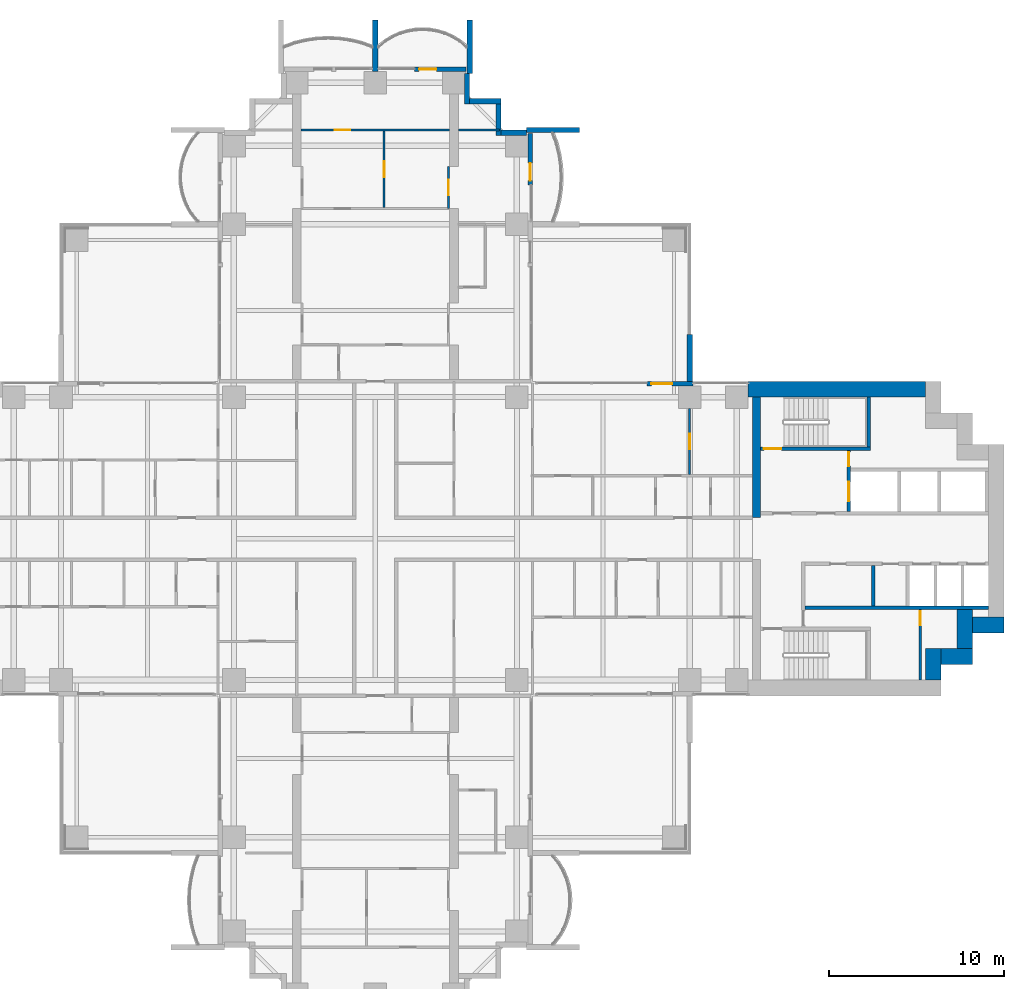
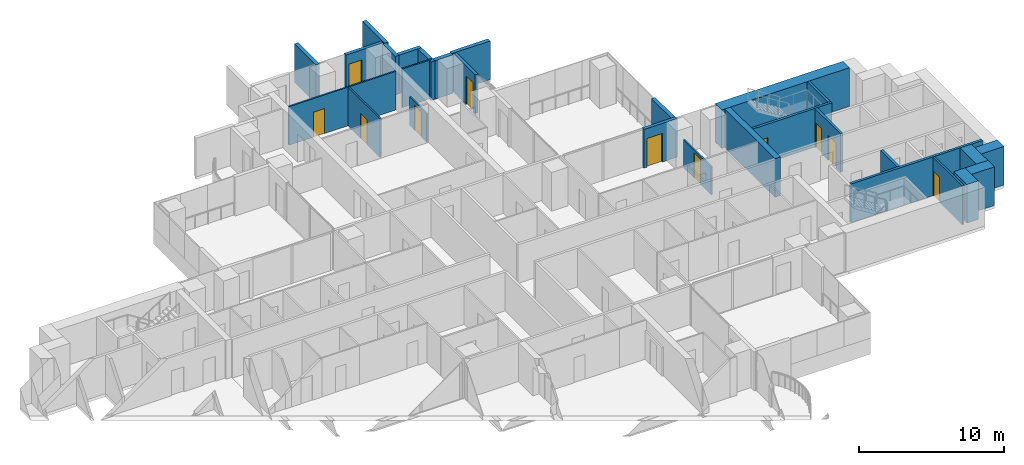
# One storey, part 15 of 20: 28 walls, 11 doors, 11 openings.
"""IFC4 building model written with IfcOpenShell, lengths in metres."""

from ifc_helpers import new_model, si_unit, direction, frame, frame_2d, origin, place, context, subcontext, project, spatial, rectangle, extrude, material, layer, layer_set, type_object, element, fill, save


model = new_model("IFC4")

# Units and contexts
model_context = context("Model", 3, precision=1e-05, world=origin(), true_north=direction((0.0, 1.0)))
body_context = subcontext(model_context, "Body", "Model", "MODEL_VIEW")
ifc_project = project(units=[si_unit("LENGTHUNIT", "METRE"), si_unit("AREAUNIT", "SQUARE_METRE"), si_unit("VOLUMEUNIT", "CUBIC_METRE"), si_unit("PLANEANGLEUNIT", "RADIAN"), si_unit("MASSUNIT", "GRAM", prefix="KILO")], contexts=[model_context])

# Site, building, storey
site_placement = place(None, origin())
site = spatial("IfcSite", under=ifc_project, at=site_placement, CompositionType="ELEMENT")
building_placement = place(site_placement, origin())
building = spatial("IfcBuilding", under=site, at=building_placement, Name="Perihelion Cross Residences", CompositionType="ELEMENT")
storey_placement = place(building_placement, frame((0.0, 0.0, 71.5)))
storey = spatial("IfcBuildingStorey", under=building, at=storey_placement, Name="L15", CompositionType="ELEMENT", Elevation=71.5)

# Wall, opening, door
ifc_material_1 = material(Name="Concrete C30/37, bronze-clad", Category="concrete")
ifc_layer_1 = layer(ifc_material_1, 0.25)
ifc_layer_set_1 = layer_set([ifc_layer_1], Name="Bronze-clad pier wall 250")
wall_type_1 = type_object("IfcWallType", Name="Bronze-clad pier wall 250", PredefinedType="SOLIDWALL", material=ifc_layer_set_1)
wall_1_placement = place(storey_placement, frame((18.199951171875, 8.875, 0.0), z_axis=(0.0, 0.0, 1.0), x_axis=(-1.0, 0.0, 0.0)))
wall_1 = element("IfcWall", 1, at=wall_1_placement, inside=storey, type_object=wall_type_1, Name="Wall FW1 L15 east side north bay 2 pier", PredefinedType="SOLIDWALL", context=body_context, shape_type="SweptSolid", body=[
    extrude(rectangle(XDim=2.64990234375, YDim=0.25, at=frame_2d((1.324951171875, 0.0))), origin(), (0.0, 0.0, 1.0), 3.25),
])
opening_1_placement = place(wall_1_placement, frame((1.199951171875, 0.0, 0.0)))
opening_1 = element("IfcOpeningElement", 2, at=opening_1_placement, cuts=wall_1, Name="Opening L15.E01", PredefinedType="OPENING", context=body_context, shape_type="SweptSolid", body=[
    extrude(rectangle(XDim=1.199951171875, YDim=2.39990234375, at=frame_2d((0.60009765625, 1.199951171875))), frame((0.0, 0.135009765625, 0.0), z_axis=(0.0, -1.0, 0.0), x_axis=(1.0, 0.0, 0.0)), (0.0, 0.0, 1.0), 0.27001953125),
])
ifc_material_2 = material(Name="Bronze anodised aluminium, glazed", Category="aluminium")
door_type_1 = type_object("IfcDoorType", Name="Balcony door 1200 x 2400", OperationType="NOTDEFINED", PredefinedType="DOOR", material=ifc_material_2)
door_1_placement = place(opening_1_placement, origin())
door_1 = element("IfcDoor", 3, at=door_1_placement, inside=storey, type_object=door_type_1, Name="Door L15.E01 east side north bay 2", OperationType="SINGLE_SWING_RIGHT", OverallHeight=2.39990234375, OverallWidth=1.199951171875, PredefinedType="DOOR", context=body_context, shape_type="SweptSolid", body=[
    extrude(rectangle(XDim=1.199951171875, YDim=2.39990234375, at=frame_2d((0.60009765625, 1.199951171875))), frame((0.0, 0.02490234375, 0.0), z_axis=(0.0, -1.0, 0.0), x_axis=(1.0, 0.0, 0.0)), (0.0, 0.0, 1.0), 0.050048828125),
])
fill(opening_1, door_1)

wall_2_placement = place(storey_placement, frame((8.875, 20.25, 0.0), z_axis=(0.0, 0.0, 1.0), x_axis=(0.0, 1.0, 0.0)))
wall_2 = element("IfcWall", 4, at=wall_2_placement, inside=storey, type_object=wall_type_1, Name="Wall FW1 L15 north side east bay 2 pier", PredefinedType="SOLIDWALL", context=body_context, shape_type="SweptSolid", body=[
    extrude(rectangle(XDim=2.949951171875, YDim=0.25, at=frame_2d((1.47509765625, 0.0))), origin(), (0.0, 0.0, 1.0), 3.25),
])
opening_2_placement = place(wall_2_placement, frame((0.25, 0.0, 0.0)))
opening_2 = element("IfcOpeningElement", 5, at=opening_2_placement, cuts=wall_2, Name="Opening L15.E03", PredefinedType="OPENING", context=body_context, shape_type="SweptSolid", body=[
    extrude(rectangle(XDim=1.0, YDim=2.39990234375, at=frame_2d((0.5, 1.199951171875))), frame((0.0, 0.135009765625, 0.0), z_axis=(0.0, -1.0, 0.0), x_axis=(1.0, 0.0, 0.0)), (0.0, 0.0, 1.0), 0.27001953125),
])
ifc_material_3 = material(Name="Bronze anodised aluminium, glazed", Category="aluminium")
door_type_2 = type_object("IfcDoorType", Name="Balcony door 1000 x 2400", OperationType="NOTDEFINED", PredefinedType="DOOR", material=ifc_material_3)
door_2_placement = place(opening_2_placement, origin())
door_2 = element("IfcDoor", 6, at=door_2_placement, inside=storey, type_object=door_type_2, Name="Door L15.E03 north side east bay 2", OperationType="SINGLE_SWING_RIGHT", OverallHeight=2.39990234375, OverallWidth=1.0, PredefinedType="DOOR", context=body_context, shape_type="SweptSolid", body=[
    extrude(rectangle(XDim=1.0, YDim=2.39990234375, at=frame_2d((0.5, 1.199951171875))), frame((0.0, 0.02490234375, 0.0), z_axis=(0.0, -1.0, 0.0), x_axis=(1.0, 0.0, 0.0)), (0.0, 0.0, 1.0), 0.050048828125),
])
fill(opening_2, door_2)

wall_3_placement = place(storey_placement, frame((5.199951171875, 26.875, 0.0), z_axis=(0.0, 0.0, 1.0), x_axis=(-1.0, 0.0, 0.0)))
wall_3 = element("IfcWall", 7, at=wall_3_placement, inside=storey, type_object=wall_type_1, Name="Wall FW1 L15 north tip north bay 1 pier", PredefinedType="SOLIDWALL", context=body_context, shape_type="SweptSolid", body=[
    extrude(rectangle(XDim=2.949951171875, YDim=0.25, at=frame_2d((1.47509765625, 0.0))), origin(), (0.0, 0.0, 1.0), 3.25),
])
opening_3_placement = place(wall_3_placement, frame((1.699951171875, 0.0, 0.0)))
opening_3 = element("IfcOpeningElement", 8, at=opening_3_placement, cuts=wall_3, Name="Opening L15.E04", PredefinedType="OPENING", context=body_context, shape_type="SweptSolid", body=[
    extrude(rectangle(XDim=1.0, YDim=2.39990234375, at=frame_2d((0.5, 1.199951171875))), frame((0.0, 0.135009765625, 0.0), z_axis=(0.0, -1.0, 0.0), x_axis=(1.0, 0.0, 0.0)), (0.0, 0.0, 1.0), 0.27001953125),
])
door_3_placement = place(opening_3_placement, origin())
door_3 = element("IfcDoor", 9, at=door_3_placement, inside=storey, type_object=door_type_2, Name="Door L15.E04 north tip north bay 1", OperationType="SINGLE_SWING_LEFT", OverallHeight=2.39990234375, OverallWidth=1.0, PredefinedType="DOOR", context=body_context, shape_type="SweptSolid", body=[
    extrude(rectangle(XDim=1.0, YDim=2.39990234375, at=frame_2d((0.5, 1.199951171875))), frame((0.0, 0.02490234375, 0.0), z_axis=(0.0, -1.0, 0.0), x_axis=(1.0, 0.0, 0.0)), (0.0, 0.0, 1.0), 0.050048828125),
])
fill(opening_3, door_3)

# Walls
ifc_material_4 = material(Name="Concrete C30/37, bronze-clad", Category="concrete")
ifc_layer_2 = layer(ifc_material_4, 0.300048828125)
ifc_layer_set_2 = layer_set([ifc_layer_2], Name="Bronze-clad serration wall 300")
wall_type_2 = type_object("IfcWallType", Name="Bronze-clad serration wall 300", PredefinedType="SOLIDWALL", material=ifc_layer_set_2)
wall_4_placement = place(storey_placement, frame((8.64990234375, 23.25, 0.0), z_axis=(0.0, 0.0, 1.0), x_axis=(-1.0, 0.0, 0.0)))
element("IfcWall", 10, at=wall_4_placement, inside=storey, type_object=wall_type_2, Name="Wall SR1 L15 north corner north-east 1", PredefinedType="SOLIDWALL", context=body_context, shape_type="SweptSolid", body=[
    extrude(rectangle(XDim=1.449951171875, YDim=0.300048828125, at=frame_2d((0.72509765625, 0.0))), origin(), (0.0, 0.0, 1.0), 3.25),
])
wall_5_placement = place(storey_placement, frame((7.050048828125, 23.10009765625, 0.0), z_axis=(0.0, 0.0, 1.0), x_axis=(0.0, 1.0, 0.0)))
element("IfcWall", 11, at=wall_5_placement, inside=storey, type_object=wall_type_2, Name="Wall SR1 L15 north corner north-east 2", PredefinedType="SOLIDWALL", context=body_context, shape_type="SweptSolid", body=[
    extrude(rectangle(XDim=1.7998046875, YDim=0.300048828125, at=frame_2d((0.89990234375, 0.0))), origin(), (0.0, 0.0, 1.0), 3.25),
])
wall_6_placement = place(storey_placement, frame((7.199951171875, 25.050048828125, 0.0), z_axis=(0.0, 0.0, 1.0), x_axis=(-1.0, 0.0, 0.0)))
element("IfcWall", 12, at=wall_6_placement, inside=storey, type_object=wall_type_2, Name="Wall SR1 L15 north corner north-east 3", PredefinedType="SOLIDWALL", context=body_context, shape_type="SweptSolid", body=[
    extrude(rectangle(XDim=1.800048828125, YDim=0.300048828125, at=frame_2d((0.89990234375, 0.0))), origin(), (0.0, 0.0, 1.0), 3.25),
])
wall_7_placement = place(storey_placement, frame((5.25, 24.89990234375, 0.0), z_axis=(0.0, 0.0, 1.0), x_axis=(0.0, 1.0, 0.0)))
element("IfcWall", 13, at=wall_7_placement, inside=storey, type_object=wall_type_2, Name="Wall SR1 L15 north corner north-east 4", PredefinedType="SOLIDWALL", context=body_context, shape_type="SweptSolid", body=[
    extrude(rectangle(XDim=1.75, YDim=0.300048828125, at=frame_2d((0.875, 0.0))), origin(), (0.0, 0.0, 1.0), 3.25),
])
ifc_material_5 = material(Name="Concrete C60/75", Category="concrete")
ifc_layer_3 = layer(ifc_material_5, 0.449951171875)
ifc_layer_set_3 = layer_set([ifc_layer_3], Name="Core wall, inner 450")
wall_type_3 = type_object("IfcWallType", Name="Core wall, inner 450", PredefinedType="SHEAR", material=ifc_layer_set_3)
wall_8_placement = place(storey_placement, frame((21.824951171875, 1.199951171875, 0.0), z_axis=(0.0, 0.0, 1.0), x_axis=(0.0, 1.0, 0.0)))
element("IfcWall", 14, at=wall_8_placement, inside=storey, type_object=wall_type_3, Name="East core core wall, inner", PredefinedType="SHEAR", context=body_context, shape_type="SweptSolid", body=[
    extrude(rectangle(XDim=6.900146484375, YDim=0.449951171875, at=frame_2d((3.4501953125, 0.0))), origin(), (0.0, 0.0, 1.0), 3.25),
])
ifc_material_6 = material(Name="Concrete C60/75", Category="concrete")
ifc_layer_4 = layer(ifc_material_6, 0.89990234375)
ifc_layer_set_4 = layer_set([ifc_layer_4], Name="Core wall, outer 900")
wall_type_4 = type_object("IfcWallType", Name="Core wall, outer 900", PredefinedType="SHEAR", material=ifc_layer_set_4)
for number, where, z_axis, x_axis, name in (
    (15, (31.949951171875, -8.10009765625, 0.0), (0.0, 0.0, 1.0), (0.0, 1.0, 0.0), "East core core wall, outer"),
    (16, (32.39990234375, -6.75, 0.0), (0.0, 0.0, 1.0), (1.0, 0.0, 0.0), "East core core wall, outer"),
):
    element("IfcWall", number, at=place(storey_placement, frame(where, z_axis=z_axis, x_axis=x_axis)), inside=storey, type_object=wall_type_4, Name=name, PredefinedType="SHEAR", context=body_context, shape_type="SweptSolid", body=[
        extrude(rectangle(XDim=1.800048828125, YDim=0.89990234375, at=frame_2d((0.89990234375, 0.0))), origin(), (0.0, 0.0, 1.0), 3.25),
    ])
wall_9_placement = place(storey_placement, frame((33.75, -6.300048828125, 0.0), z_axis=(0.0, 0.0, 1.0), x_axis=(0.0, 1.0, 0.0)))
element("IfcWall", 17, at=wall_9_placement, inside=storey, type_object=wall_type_4, Name="East core core wall, outer", PredefinedType="SHEAR", context=body_context, shape_type="SweptSolid", body=[
    extrude(rectangle(XDim=2.25, YDim=0.89990234375, at=frame_2d((1.125, 0.0))), origin(), (0.0, 0.0, 1.0), 3.25),
])
wall_10_placement = place(storey_placement, frame((34.199951171875, -4.949951171875, 0.0), z_axis=(0.0, 0.0, 1.0), x_axis=(1.0, 0.0, 0.0)))
element("IfcWall", 18, at=wall_10_placement, inside=storey, type_object=wall_type_4, Name="East core core wall, outer", PredefinedType="SHEAR", context=body_context, shape_type="SweptSolid", body=[
    extrude(rectangle(XDim=1.800048828125, YDim=0.89990234375, at=frame_2d((0.89990234375, 0.0))), origin(), (0.0, 0.0, 1.0), 3.25),
])
wall_11_placement = place(storey_placement, frame((21.35009765625, 8.550048828125, 0.0), z_axis=(0.0, 0.0, 1.0), x_axis=(1.0, 0.0, 0.0)))
element("IfcWall", 19, at=wall_11_placement, inside=storey, type_object=wall_type_4, Name="East core core wall, outer", PredefinedType="SHEAR", context=body_context, shape_type="SweptSolid", body=[
    extrude(rectangle(XDim=10.14990234375, YDim=0.89990234375, at=frame_2d((5.074951171875, 0.0))), origin(), (0.0, 0.0, 1.0), 3.25),
])

# Wall, opening, door
ifc_material_7 = material(Name="Plasterboard partition")
ifc_layer_5 = layer(ifc_material_7, 0.1201171875)
ifc_layer_set_5 = layer_set([ifc_layer_5], Name="Infill panel 120")
wall_type_5 = type_object("IfcWallType", Name="Infill panel 120", PredefinedType="PARTITIONING", material=ifc_layer_set_5)
wall_12_placement = place(storey_placement, frame((4.18994140625, 18.89990234375, 0.0), z_axis=(0.0, 0.0, 1.0), x_axis=(0.0, 1.0, 0.0)))
wall_12 = element("IfcWall", 20, at=wall_12_placement, inside=storey, type_object=wall_type_5, Name="Partition L15 WI02", PredefinedType="PARTITIONING", context=body_context, shape_type="SweptSolid", body=[
    extrude(rectangle(XDim=2.400146484375, YDim=0.1201171875, at=frame_2d((1.2001953125, 0.0))), origin(), (0.0, 0.0, 1.0), 2.39990234375),
])
opening_4_placement = place(wall_12_placement, frame((0.75, 0.0, 0.0)))
opening_4 = element("IfcOpeningElement", 21, at=opening_4_placement, cuts=wall_12, Name="Opening L15.A51", PredefinedType="OPENING", context=body_context, shape_type="SweptSolid", body=[
    extrude(rectangle(XDim=0.89990234375, YDim=2.10009765625, at=frame_2d((0.449951171875, 1.050048828125))), frame((0.0, 0.070068359375, 0.0), z_axis=(0.0, -1.0, 0.0), x_axis=(1.0, 0.0, 0.0)), (0.0, 0.0, 1.0), 0.14013671875),
])
ifc_material_8 = material(Name="Timber door leaf", Category="wood")
door_type_3 = type_object("IfcDoorType", Name="Interior room door 900 x 2100", OperationType="SINGLE_SWING_LEFT", PredefinedType="DOOR", material=ifc_material_8)
door_4_placement = place(opening_4_placement, origin())
door_4 = element("IfcDoor", 22, at=door_4_placement, inside=storey, type_object=door_type_3, Name="Door L15.A51", OperationType="SINGLE_SWING_LEFT", OverallHeight=2.10009765625, OverallWidth=0.89990234375, PredefinedType="DOOR", context=body_context, shape_type="SweptSolid", body=[
    extrude(rectangle(XDim=0.89990234375, YDim=2.10009765625, at=frame_2d((0.449951171875, 1.050048828125))), frame((0.0, 0.02490234375, 0.0), z_axis=(0.0, -1.0, 0.0), x_axis=(1.0, 0.0, 0.0)), (0.0, 0.0, 1.0), 0.050048828125),
])
fill(opening_4, door_4)

ifc_material_9 = material(Name="Plasterboard partition")
ifc_layer_6 = layer(ifc_material_9, 0.1201171875)
ifc_layer_set_6 = layer_set([ifc_layer_6], Name="Partition wall 120")
wall_type_6 = type_object("IfcWallType", Name="Partition wall 120", PredefinedType="PARTITIONING", material=ifc_layer_set_6)
wall_13_placement = place(storey_placement, frame((18.0, 7.449951171875, 0.0), z_axis=(0.0, 0.0, 1.0), x_axis=(0.0, -1.0, 0.0)))
wall_13 = element("IfcWall", 23, at=wall_13_placement, inside=storey, type_object=wall_type_6, Name="Partition L15 W017", PredefinedType="PARTITIONING", context=body_context, shape_type="SweptSolid", body=[
    extrude(rectangle(XDim=3.7900390625, YDim=0.1201171875, at=frame_2d((1.89501953125, 0.0))), origin(), (0.0, 0.0, 1.0), 2.345947265625),
])
opening_5_placement = place(wall_13_placement, frame((1.445068359375, 0.0, 0.0)))
opening_5 = element("IfcOpeningElement", 24, at=opening_5_placement, cuts=wall_13, Name="Opening L15.A01", PredefinedType="OPENING", context=body_context, shape_type="SweptSolid", body=[
    extrude(rectangle(XDim=0.89990234375, YDim=2.10009765625, at=frame_2d((0.449951171875, 1.050048828125))), frame((0.0, 0.070068359375, 0.0), z_axis=(0.0, -1.0, 0.0), x_axis=(1.0, 0.0, 0.0)), (0.0, 0.0, 1.0), 0.14013671875),
])
door_5_placement = place(opening_5_placement, origin())
door_5 = element("IfcDoor", 25, at=door_5_placement, inside=storey, type_object=door_type_3, Name="Door L15.A01", OperationType="SINGLE_SWING_LEFT", OverallHeight=2.10009765625, OverallWidth=0.89990234375, PredefinedType="DOOR", context=body_context, shape_type="SweptSolid", body=[
    extrude(rectangle(XDim=0.89990234375, YDim=2.10009765625, at=frame_2d((0.449951171875, 1.050048828125))), frame((0.0, 0.02490234375, 0.0), z_axis=(0.0, -1.0, 0.0), x_axis=(1.0, 0.0, 0.0)), (0.0, 0.0, 1.0), 0.050048828125),
])
fill(opening_5, door_5)

wall_14_placement = place(storey_placement, frame((0.5, 23.340087890625, 0.0), z_axis=(0.0, 0.0, 1.0), x_axis=(0.0, -1.0, 0.0)))
wall_14 = element("IfcWall", 26, at=wall_14_placement, inside=storey, type_object=wall_type_6, Name="Partition L15 W057", PredefinedType="PARTITIONING", context=body_context, shape_type="SweptSolid", body=[
    extrude(rectangle(XDim=4.380126953125, YDim=0.1201171875, at=frame_2d((2.18994140625, 0.0))), origin(), (0.0, 0.0, 1.0), 3.25),
])
opening_6_placement = place(wall_14_placement, frame((1.739990234375, 0.0, 0.0)))
opening_6 = element("IfcOpeningElement", 27, at=opening_6_placement, cuts=wall_14, Name="Opening L15.A36", PredefinedType="OPENING", context=body_context, shape_type="SweptSolid", body=[
    extrude(rectangle(XDim=0.89990234375, YDim=2.10009765625, at=frame_2d((0.449951171875, 1.050048828125))), frame((0.0, 0.070068359375, 0.0), z_axis=(0.0, -1.0, 0.0), x_axis=(1.0, 0.0, 0.0)), (0.0, 0.0, 1.0), 0.14013671875),
])
door_6_placement = place(opening_6_placement, origin())
door_6 = element("IfcDoor", 28, at=door_6_placement, inside=storey, type_object=door_type_3, Name="Door L15.A36", OperationType="SINGLE_SWING_LEFT", OverallHeight=2.10009765625, OverallWidth=0.89990234375, PredefinedType="DOOR", context=body_context, shape_type="SweptSolid", body=[
    extrude(rectangle(XDim=0.89990234375, YDim=2.10009765625, at=frame_2d((0.449951171875, 1.050048828125))), frame((0.0, 0.02490234375, 0.0), z_axis=(0.0, -1.0, 0.0), x_axis=(1.0, 0.0, 0.0)), (0.0, 0.0, 1.0), 0.050048828125),
])
fill(opening_6, door_6)

wall_15_placement = place(storey_placement, frame((-4.25, 23.39990234375, 0.0), z_axis=(0.0, 0.0, 1.0), x_axis=(1.0, 0.0, 0.0)))
wall_15 = element("IfcWall", 29, at=wall_15_placement, inside=storey, type_object=wall_type_6, Name="Partition L15 W058", PredefinedType="PARTITIONING", context=body_context, shape_type="SweptSolid", body=[
    extrude(rectangle(XDim=8.5, YDim=0.1201171875, at=frame_2d((4.25, 0.0))), origin(), (0.0, 0.0, 1.0), 3.25),
])
opening_7_placement = place(wall_15_placement, frame((1.925048828125, 0.0, 0.0)))
opening_7 = element("IfcOpeningElement", 30, at=opening_7_placement, cuts=wall_15, Name="Opening L15.A37", PredefinedType="OPENING", context=body_context, shape_type="SweptSolid", body=[
    extrude(rectangle(XDim=0.89990234375, YDim=2.10009765625, at=frame_2d((0.449951171875, 1.050048828125))), frame((0.0, 0.070068359375, 0.0), z_axis=(0.0, -1.0, 0.0), x_axis=(1.0, 0.0, 0.0)), (0.0, 0.0, 1.0), 0.14013671875),
])
door_7_placement = place(opening_7_placement, origin())
door_7 = element("IfcDoor", 31, at=door_7_placement, inside=storey, type_object=door_type_3, Name="Door L15.A37", OperationType="SINGLE_SWING_LEFT", OverallHeight=2.10009765625, OverallWidth=0.89990234375, PredefinedType="DOOR", context=body_context, shape_type="SweptSolid", body=[
    extrude(rectangle(XDim=0.89990234375, YDim=2.10009765625, at=frame_2d((0.449951171875, 1.050048828125))), frame((0.0, 0.02490234375, 0.0), z_axis=(0.0, -1.0, 0.0), x_axis=(1.0, 0.0, 0.0)), (0.0, 0.0, 1.0), 0.050048828125),
])
fill(opening_7, door_7)

# Walls
wall_16_placement = place(storey_placement, frame((4.75, 23.39990234375, 0.0), z_axis=(0.0, 0.0, 1.0), x_axis=(1.0, 0.0, 0.0)))
element("IfcWall", 32, at=wall_16_placement, inside=storey, type_object=wall_type_6, Name="Partition L15 W063", PredefinedType="PARTITIONING", context=body_context, shape_type="SweptSolid", body=[
    extrude(rectangle(XDim=2.3701171875, YDim=0.1201171875, at=frame_2d((1.18505859375, 0.0))), origin(), (0.0, 0.0, 1.0), 3.25),
])
ifc_material_10 = material(Name="Precast concrete C50/60", Category="concrete")
ifc_layer_7 = layer(ifc_material_10, 0.300048828125)
ifc_layer_set_7 = layer_set([ifc_layer_7], Name="Precast concrete C50/60 blade wall 300")
wall_type_7 = type_object("IfcWallType", Name="Precast concrete C50/60 blade wall 300", PredefinedType="SOLIDWALL", material=ifc_layer_set_7)
wall_17_placement = place(storey_placement, frame((0.0, 26.75, 0.0), z_axis=(0.0, 0.0, 1.0), x_axis=(0.0, 1.0, 0.0)))
element("IfcWall", 33, at=wall_17_placement, inside=storey, type_object=wall_type_7, Name="Wall BL1 L15 no. 10", PredefinedType="SOLIDWALL", context=body_context, shape_type="SweptSolid", body=[
    extrude(rectangle(XDim=2.949951171875, YDim=0.300048828125, at=frame_2d((1.47509765625, 0.0))), origin(), (0.0, 0.0, 1.0), 3.25),
])
for number, where, z_axis, x_axis, name in (
    (34, (5.39990234375, 26.64990234375, 0.0), (0.0, 0.0, 1.0), (0.0, 1.0, 0.0), "Wall BL1 L15 no. 14"),
    (35, (8.64990234375, 23.39990234375, 0.0), (0.0, 0.0, 1.0), (1.0, 0.0, 0.0), "Wall BL1 L15 no. 18"),
):
    element("IfcWall", number, at=place(storey_placement, frame(where, z_axis=z_axis, x_axis=x_axis)), inside=storey, type_object=wall_type_7, Name=name, PredefinedType="SOLIDWALL", context=body_context, shape_type="SweptSolid", body=[
        extrude(rectangle(XDim=3.050048828125, YDim=0.300048828125, at=frame_2d((1.52490234375, 0.0))), origin(), (0.0, 0.0, 1.0), 3.25),
    ])
wall_18_placement = place(storey_placement, frame((18.0, 8.75, 0.0), z_axis=(0.0, 0.0, 1.0), x_axis=(0.0, 1.0, 0.0)))
element("IfcWall", 36, at=wall_18_placement, inside=storey, type_object=wall_type_7, Name="Wall BL1 L15 no. 12", PredefinedType="SOLIDWALL", context=body_context, shape_type="SweptSolid", body=[
    extrude(rectangle(XDim=2.949951171875, YDim=0.300048828125, at=frame_2d((1.47509765625, 0.0))), origin(), (0.0, 0.0, 1.0), 3.25),
])

# Wall, opening, door
ifc_material_11 = material(Name="Fire-rated board on steel stud", Category="steel")
ifc_layer_8 = layer(ifc_material_11, 0.14990234375)
ifc_layer_set_8 = layer_set([ifc_layer_8], Name="Riser wall 150")
wall_type_8 = type_object("IfcWallType", Name="Riser wall 150", PredefinedType="PARTITIONING", material=ifc_layer_set_8)
wall_19_placement = place(storey_placement, frame((31.199951171875, -8.10009765625, 0.0), z_axis=(0.0, 0.0, 1.0), x_axis=(0.0, 1.0, 0.0)))
wall_19 = element("IfcWall", 37, at=wall_19_placement, inside=storey, type_object=wall_type_8, Name="East core riser wall", PredefinedType="PARTITIONING", context=body_context, shape_type="SweptSolid", body=[
    extrude(rectangle(XDim=4.050048828125, YDim=0.14990234375, at=frame_2d((2.02490234375, 0.0))), origin(), (0.0, 0.0, 1.0), 3.25),
])
opening_8_placement = place(wall_19_placement, frame((3.14990234375, 0.0, 0.0)))
opening_8 = element("IfcOpeningElement", 38, at=opening_8_placement, cuts=wall_19, Name="Opening L15.C13", PredefinedType="OPENING", context=body_context, shape_type="SweptSolid", body=[
    extrude(rectangle(XDim=0.800048828125, YDim=2.10009765625, at=frame_2d((0.39990234375, 1.050048828125))), frame((0.0, 0.0849609375, 0.0), z_axis=(0.0, -1.0, 0.0), x_axis=(1.0, 0.0, 0.0)), (0.0, 0.0, 1.0), 0.169921875),
])
ifc_material_12 = material(Name="Steel, powder coated", Category="steel")
door_type_4 = type_object("IfcDoorType", Name="Riser door 800", OperationType="SINGLE_SWING_LEFT", PredefinedType="DOOR", material=ifc_material_12)
door_8_placement = place(opening_8_placement, origin())
door_8 = element("IfcDoor", 39, at=door_8_placement, inside=storey, type_object=door_type_4, Name="East core riser door", OperationType="SINGLE_SWING_LEFT", OverallHeight=2.10009765625, OverallWidth=0.800048828125, PredefinedType="DOOR", context=body_context, shape_type="SweptSolid", body=[
    extrude(rectangle(XDim=0.800048828125, YDim=2.10009765625, at=frame_2d((0.39990234375, 1.050048828125))), frame((0.0, 0.02490234375, 0.0), z_axis=(0.0, -1.0, 0.0), x_axis=(1.0, 0.0, 0.0)), (0.0, 0.0, 1.0), 0.050048828125),
])
fill(opening_8, door_8)

# Walls
ifc_material_13 = material(Name="Fire-rated board on steel stud", Category="steel")
ifc_layer_9 = layer(ifc_material_13, 0.199951171875)
ifc_layer_set_9 = layer_set([ifc_layer_9], Name="Riser wall 200")
wall_type_9 = type_object("IfcWallType", Name="Riser wall 200", PredefinedType="PARTITIONING", material=ifc_layer_set_9)
wall_20_placement = place(storey_placement, frame((28.5, -3.85009765625, 0.0), z_axis=(0.0, 0.0, 1.0), x_axis=(0.0, 1.0, 0.0)))
element("IfcWall", 40, at=wall_20_placement, inside=storey, type_object=wall_type_9, Name="East core riser wall", PredefinedType="PARTITIONING", context=body_context, shape_type="SweptSolid", body=[
    extrude(rectangle(XDim=2.300048828125, YDim=0.199951171875, at=frame_2d((1.14990234375, 0.0))), origin(), (0.0, 0.0, 1.0), 3.25),
])
ifc_material_14 = material(Name="Concrete C50/60", Category="concrete")
ifc_layer_10 = layer(ifc_material_14, 0.199951171875)
ifc_layer_set_10 = layer_set([ifc_layer_10], Name="Shaft wall 200")
wall_type_10 = type_object("IfcWallType", Name="Shaft wall 200", PredefinedType="SOLIDWALL", material=ifc_layer_set_10)
wall_21_placement = place(storey_placement, frame((24.60009765625, -3.949951171875, 0.0), z_axis=(0.0, 0.0, 1.0), x_axis=(1.0, 0.0, 0.0)))
element("IfcWall", 41, at=wall_21_placement, inside=storey, type_object=wall_type_10, Name="East core shaft wall", PredefinedType="SOLIDWALL", context=body_context, shape_type="SweptSolid", body=[
    extrude(rectangle(XDim=10.5, YDim=0.199951171875, at=frame_2d((5.25, 0.0))), origin(), (0.0, 0.0, 1.0), 3.25),
])

# Wall, openings, doors
wall_22_placement = place(storey_placement, frame((27.10009765625, 1.550048828125, 0.0), z_axis=(0.0, 0.0, 1.0), x_axis=(0.0, 1.0, 0.0)))
wall_22 = element("IfcWall", 42, at=wall_22_placement, inside=storey, type_object=wall_type_10, Name="East core shaft wall", PredefinedType="SOLIDWALL", context=body_context, shape_type="SweptSolid", body=[
    extrude(rectangle(XDim=3.5, YDim=0.199951171875, at=frame_2d((1.75, 0.0))), origin(), (0.0, 0.0, 1.0), 3.25),
])
opening_9_placement = place(wall_22_placement, frame((0.60009765625, 0.0, 0.0)))
opening_9 = element("IfcOpeningElement", 43, at=opening_9_placement, cuts=wall_22, Name="Opening L15.C01", PredefinedType="OPENING", context=body_context, shape_type="SweptSolid", body=[
    extrude(rectangle(XDim=1.10009765625, YDim=2.10009765625, at=frame_2d((0.550048828125, 1.050048828125))), frame((0.0, 0.10986328125, 0.0), z_axis=(0.0, -1.0, 0.0), x_axis=(1.0, 0.0, 0.0)), (0.0, 0.0, 1.0), 0.219970703125),
])
opening_10_placement = place(wall_22_placement, frame((2.60009765625, 0.0, 0.0)))
opening_10 = element("IfcOpeningElement", 44, at=opening_10_placement, cuts=wall_22, Name="Opening L15.C11", PredefinedType="OPENING", context=body_context, shape_type="SweptSolid", body=[
    extrude(rectangle(XDim=0.800048828125, YDim=2.10009765625, at=frame_2d((0.39990234375, 1.050048828125))), frame((0.0, 0.10986328125, 0.0), z_axis=(0.0, -1.0, 0.0), x_axis=(1.0, 0.0, 0.0)), (0.0, 0.0, 1.0), 0.219970703125),
])
ifc_material_15 = material(Name="Stainless steel", Category="steel")
door_type_5 = type_object("IfcDoorType", Name="Landing door, firefighting lift 1100", OperationType="DOUBLE_DOOR_SLIDING", PredefinedType="DOOR", material=ifc_material_15)
door_9_placement = place(opening_9_placement, origin())
door_9 = element("IfcDoor", 45, at=door_9_placement, inside=storey, type_object=door_type_5, Name="Landing door, East core firefighting and service lift", OperationType="DOUBLE_DOOR_SLIDING", OverallHeight=2.10009765625, OverallWidth=1.10009765625, PredefinedType="DOOR", context=body_context, shape_type="SweptSolid", body=[
    extrude(rectangle(XDim=1.10009765625, YDim=2.10009765625, at=frame_2d((0.550048828125, 1.050048828125))), frame((0.0, 0.02490234375, 0.0), z_axis=(0.0, -1.0, 0.0), x_axis=(1.0, 0.0, 0.0)), (0.0, 0.0, 1.0), 0.050048828125),
])
fill(opening_9, door_9)
door_10_placement = place(opening_10_placement, origin())
door_10 = element("IfcDoor", 46, at=door_10_placement, inside=storey, type_object=door_type_4, Name="East core riser door", OperationType="SINGLE_SWING_LEFT", OverallHeight=2.10009765625, OverallWidth=0.800048828125, PredefinedType="DOOR", context=body_context, shape_type="SweptSolid", body=[
    extrude(rectangle(XDim=0.800048828125, YDim=2.10009765625, at=frame_2d((0.39990234375, 1.050048828125))), frame((0.0, 0.02490234375, 0.0), z_axis=(0.0, -1.0, 0.0), x_axis=(1.0, 0.0, 0.0)), (0.0, 0.0, 1.0), 0.050048828125),
])
fill(opening_10, door_10)

# Wall, opening, door
ifc_material_16 = material(Name="Concrete C50/60", Category="concrete")
ifc_layer_11 = layer(ifc_material_16, 0.199951171875)
ifc_layer_set_11 = layer_set([ifc_layer_11], Name="Stair wall 200")
wall_type_11 = type_object("IfcWallType", Name="Stair wall 200", PredefinedType="SOLIDWALL", material=ifc_layer_set_11)
wall_23_placement = place(storey_placement, frame((22.050048828125, 5.14990234375, 0.0), z_axis=(0.0, 0.0, 1.0), x_axis=(1.0, 0.0, 0.0)))
wall_23 = element("IfcWall", 47, at=wall_23_placement, inside=storey, type_object=wall_type_11, Name="East core stair wall", PredefinedType="SOLIDWALL", context=body_context, shape_type="SweptSolid", body=[
    extrude(rectangle(XDim=6.300048828125, YDim=0.199951171875, at=frame_2d((3.14990234375, 0.0))), origin(), (0.0, 0.0, 1.0), 3.25),
])
opening_11_placement = place(wall_23_placement, frame((0.199951171875, 0.0, 0.0)))
opening_11 = element("IfcOpeningElement", 48, at=opening_11_placement, cuts=wall_23, Name="Opening L15.C06", PredefinedType="OPENING", context=body_context, shape_type="SweptSolid", body=[
    extrude(rectangle(XDim=1.0, YDim=2.10009765625, at=frame_2d((0.5, 1.050048828125))), frame((0.0, 0.10986328125, 0.0), z_axis=(0.0, -1.0, 0.0), x_axis=(1.0, 0.0, 0.0)), (0.0, 0.0, 1.0), 0.219970703125),
])
ifc_material_17 = material(Name="Steel, powder coated", Category="steel")
door_type_6 = type_object("IfcDoorType", Name="Stair door 1000", OperationType="SINGLE_SWING_LEFT", PredefinedType="DOOR", material=ifc_material_17)
door_11_placement = place(opening_11_placement, origin())
door_11 = element("IfcDoor", 49, at=door_11_placement, inside=storey, type_object=door_type_6, Name="East core stair door", OperationType="SINGLE_SWING_LEFT", OverallHeight=2.10009765625, OverallWidth=1.0, PredefinedType="DOOR", context=body_context, shape_type="SweptSolid", body=[
    extrude(rectangle(XDim=1.0, YDim=2.10009765625, at=frame_2d((0.5, 1.050048828125))), frame((0.0, 0.02490234375, 0.0), z_axis=(0.0, -1.0, 0.0), x_axis=(1.0, 0.0, 0.0)), (0.0, 0.0, 1.0), 0.050048828125),
])
fill(opening_11, door_11)

# Wall
wall_24_placement = place(storey_placement, frame((28.25, 5.25, 0.0), z_axis=(0.0, 0.0, 1.0), x_axis=(0.0, 1.0, 0.0)))
element("IfcWall", 50, at=wall_24_placement, inside=storey, type_object=wall_type_11, Name="East core stair wall", PredefinedType="SOLIDWALL", context=body_context, shape_type="SweptSolid", body=[
    extrude(rectangle(XDim=2.85009765625, YDim=0.199951171875, at=frame_2d((1.425048828125, 0.0))), origin(), (0.0, 0.0, 1.0), 3.25),
])

save(model, "model.ifc")
